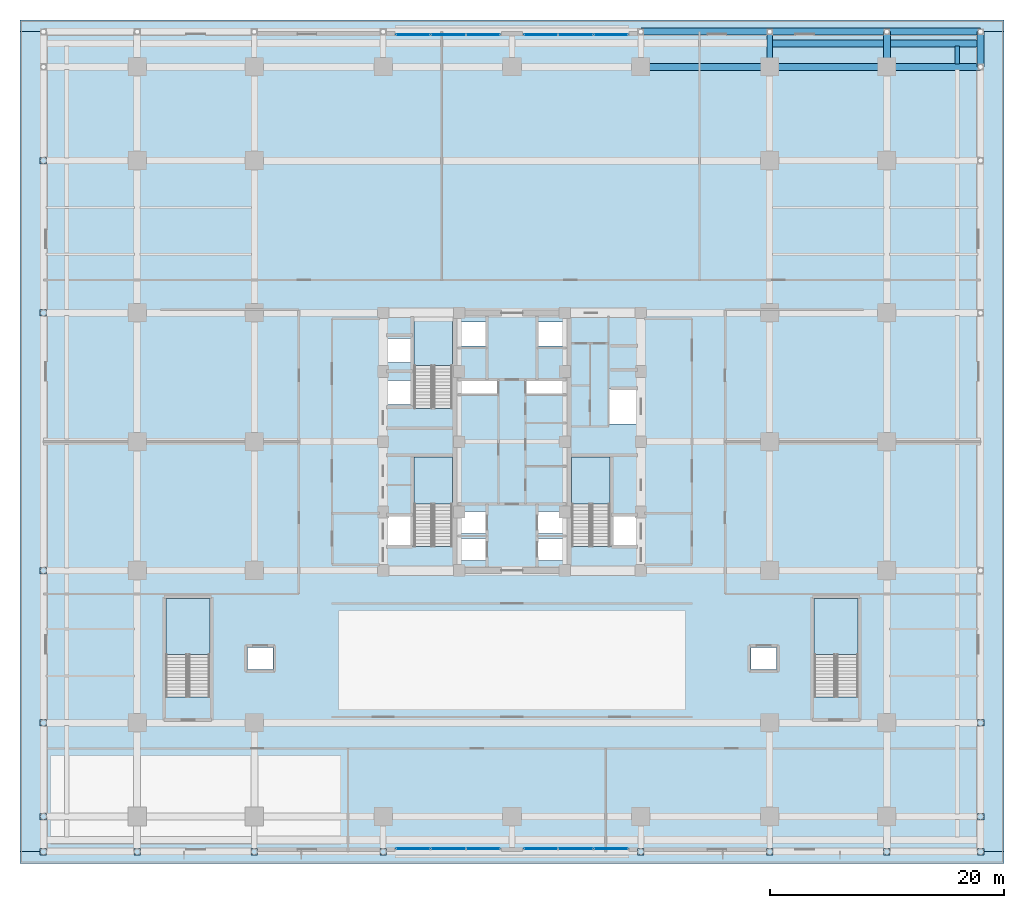
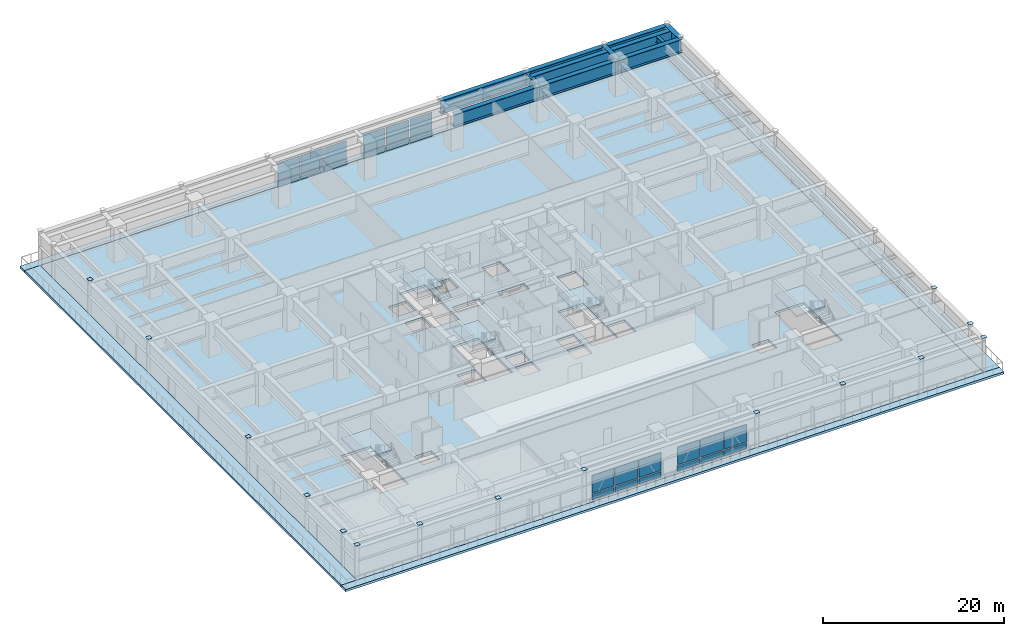
# One storey, part 23 of 38: 39 plates, 12 beams, 10 slabs, 9 elements without a shape of their own.
"""IFC4 building model written with IfcOpenShell, lengths in metres."""

from ifc_helpers import new_model, si_unit, direction, frame, origin, origin_2d, place, context, subcontext, project, spatial, polyline, rectangle, i_section, outline, extrude, source, transform, mapped, material, layer, layer_set, material_profile, profile_set, type_object, element, aggregate, save


model = new_model("IFC4")

# Units and contexts
model_context = context("Model", 3, precision=1e-05, world=origin(), true_north=direction((0.0, 1.0)))
body_context = subcontext(model_context, "Body", "Model", "MODEL_VIEW")
ifc_project = project(units=[si_unit("LENGTHUNIT", "METRE"), si_unit("AREAUNIT", "SQUARE_METRE"), si_unit("VOLUMEUNIT", "CUBIC_METRE"), si_unit("PLANEANGLEUNIT", "RADIAN"), si_unit("MASSUNIT", "GRAM", prefix="KILO")], contexts=[model_context])

# Site, building, storey
site_placement = place(None, origin())
site = spatial("IfcSite", under=ifc_project, at=site_placement, CompositionType="ELEMENT")
building_placement = place(site_placement, origin())
building = spatial("IfcBuilding", under=site, at=building_placement, Name="Khorayat Bourse Tower", CompositionType="ELEMENT")
storey_placement = place(building_placement, frame((0.0, 0.0, 17.39990234375)))
storey = spatial("IfcBuildingStorey", under=building, at=storey_placement, Name="L03", CompositionType="ELEMENT", Elevation=17.39990234375)

# Beams
ifc_material_1 = material(Name="Steel EN 10025-4 S460M", Category="steel")
ifc_material_profile_1 = material_profile(ifc_material_1, i_section(OverallWidth=0.60009765625, OverallDepth=1.800048828125, WebThickness=0.031982421875, FlangeThickness=0.06005859375, at=origin_2d()), Name="PG 1800x600x32x60")
ifc_profile_set_1 = profile_set([ifc_material_profile_1], Name="Steel EN 10025-4 S460M")
beam_type_1 = type_object("IfcBeamType", Name="BM-TR-1800", PredefinedType="BEAM", material=ifc_profile_set_1)
shared_shape_1 = source(origin(), body_context, "Body", "SweptSolid", [
    extrude(i_section(OverallWidth=0.60009765625, OverallDepth=1.800048828125, WebThickness=0.031982421875, FlangeThickness=0.06005859375, at=origin_2d()), origin(), (0.0, 0.0, 1.0), 10.0),
])
for number, where, z_axis, x_axis, name in (
    (1, (22.0, 32.0, 3.580078125), (1.0, 0.0, 0.0), (0.0, 1.0, 0.0), "L03 BM-TR-1800 BM-L03-PGX-084"),
    (2, (22.0, 34.0, 3.580078125), (1.0, 0.0, 0.0), (0.0, 1.0, 0.0), "L03 BM-TR-1800 BM-L03-PGX-089"),
    (3, (22.0, 35.0, 3.580078125), (1.0, 0.0, 0.0), (0.0, 1.0, 0.0), "L03 BM-TR-1800 BM-L03-PGX-096"),
):
    element("IfcBeam", number, at=place(storey_placement, frame(where, z_axis=z_axis, x_axis=x_axis)), inside=storey, type_object=beam_type_1, Name=name, PredefinedType="BEAM", context=body_context, shape_type="MappedRepresentation", body=[
        mapped(shared_shape_1, transform((0.0, 0.0, 0.0), scale=1.0)),
    ])
shared_shape_2 = source(origin(), body_context, "Body", "SweptSolid", [
    extrude(i_section(OverallWidth=0.60009765625, OverallDepth=1.800048828125, WebThickness=0.031982421875, FlangeThickness=0.06005859375, at=origin_2d()), origin(), (0.0, 0.0, 1.0), 11.0),
])
for number, where, z_axis, x_axis, name in (
    (4, (11.0, 32.0, 3.580078125), (1.0, 0.0, 0.0), (0.0, 1.0, 0.0), "L03 BM-TR-1800 BM-L03-PGX-083"),
    (5, (11.0, 35.0, 3.580078125), (1.0, 0.0, 0.0), (0.0, 1.0, 0.0), "L03 BM-TR-1800 BM-L03-PGX-095"),
):
    element("IfcBeam", number, at=place(storey_placement, frame(where, z_axis=z_axis, x_axis=x_axis)), inside=storey, type_object=beam_type_1, Name=name, PredefinedType="BEAM", context=body_context, shape_type="MappedRepresentation", body=[
        mapped(shared_shape_2, transform((0.0, 0.0, 0.0), scale=1.0)),
    ])
shared_shape_3 = source(origin(), body_context, "Body", "SweptSolid", [
    extrude(i_section(OverallWidth=0.60009765625, OverallDepth=1.800048828125, WebThickness=0.031982421875, FlangeThickness=0.06005859375, at=origin_2d()), origin(), (0.0, 0.0, 1.0), 8.0),
])
for number, where, z_axis, x_axis, name in (
    (6, (32.0, 32.0, 3.580078125), (1.0, 0.0, 0.0), (0.0, 1.0, 0.0), "L03 BM-TR-1800 BM-L03-PGX-085"),
    (7, (32.0, 34.0, 3.580078125), (1.0, 0.0, 0.0), (0.0, 1.0, 0.0), "L03 BM-TR-1800 BM-L03-PGX-090"),
    (8, (32.0, 35.0, 3.580078125), (1.0, 0.0, 0.0), (0.0, 1.0, 0.0), "L03 BM-TR-1800 BM-L03-PGX-097"),
):
    element("IfcBeam", number, at=place(storey_placement, frame(where, z_axis=z_axis, x_axis=x_axis)), inside=storey, type_object=beam_type_1, Name=name, PredefinedType="BEAM", context=body_context, shape_type="MappedRepresentation", body=[
        mapped(shared_shape_3, transform((0.0, 0.0, 0.0), scale=1.0)),
    ])
shared_shape_4 = source(origin(), body_context, "Body", "SweptSolid", [
    extrude(i_section(OverallWidth=0.60009765625, OverallDepth=1.800048828125, WebThickness=0.031982421875, FlangeThickness=0.06005859375, at=origin_2d()), origin(), (0.0, 0.0, 1.0), 3.0),
])
for number, where, z_axis, x_axis, name in (
    (9, (32.0, 32.0, 3.580078125), (0.0, 1.0, 0.0), (-1.0, 0.0, 0.0), "L03 BM-TR-1800 BM-L03-PGY-151"),
    (10, (40.0, 32.0, 3.580078125), (0.0, 1.0, 0.0), (-1.0, 0.0, 0.0), "L03 BM-TR-1800 BM-L03-PGY-166"),
):
    element("IfcBeam", number, at=place(storey_placement, frame(where, z_axis=z_axis, x_axis=x_axis)), inside=storey, type_object=beam_type_1, Name=name, PredefinedType="BEAM", context=body_context, shape_type="MappedRepresentation", body=[
        mapped(shared_shape_4, transform((0.0, 0.0, 0.0), scale=1.0)),
    ])
ifc_material_2 = material(Name="Steel ASTM A992 Grade 50", Category="steel")
ifc_material_profile_2 = material_profile(ifc_material_2, i_section(OverallWidth=0.39990234375, OverallDepth=0.85498046875, WebThickness=0.018310546875, FlangeThickness=0.029296875, FilletRadius=0.02001953125, at=origin_2d()), Name="W840X299")
ifc_profile_set_2 = profile_set([ifc_material_profile_2], Name="Steel ASTM A992 Grade 50")
beam_type_2 = type_object("IfcBeamType", Name="BM-GIRD-840", PredefinedType="BEAM", material=ifc_profile_set_2)
shared_shape_5 = source(origin(), body_context, "Body", "SweptSolid", [
    extrude(i_section(OverallWidth=0.39990234375, OverallDepth=0.85498046875, WebThickness=0.018310546875, FlangeThickness=0.029296875, FilletRadius=0.02001953125, at=origin_2d()), origin(), (0.0, 0.0, 1.0), 1.52001953125),
])
beam_1_placement = place(storey_placement, frame((38.0, 32.239990234375, 4.052490234375), z_axis=(0.0, 1.0, 0.0), x_axis=(-1.0, 0.0, 0.0)))
element("IfcBeam", 11, at=beam_1_placement, inside=storey, type_object=beam_type_2, Name="L03 BM-GIRD-840 BM-L03-PGY-159", PredefinedType="BEAM", context=body_context, shape_type="MappedRepresentation", body=[
    mapped(shared_shape_5, transform((0.0, 0.0, 0.0), scale=1.0)),
])
ifc_material_profile_3 = material_profile(ifc_material_1, i_section(OverallWidth=0.5, OverallDepth=1.39990234375, WebThickness=0.02490234375, FlangeThickness=0.050048828125, at=origin_2d()), Name="PG 1400x500x25x50")
ifc_profile_set_3 = profile_set([ifc_material_profile_3], Name="Steel EN 10025-4 S460M")
beam_type_3 = type_object("IfcBeamType", Name="BM-TR-1400", PredefinedType="BEAM", material=ifc_profile_set_3)
shared_shape_6 = source(origin(), body_context, "Body", "SweptSolid", [
    extrude(i_section(OverallWidth=0.5, OverallDepth=1.39990234375, WebThickness=0.02490234375, FlangeThickness=0.050048828125, at=origin_2d()), origin(), (0.0, 0.0, 1.0), 3.0),
])
beam_2_placement = place(storey_placement, frame((22.0, 32.0, 3.780029296875), z_axis=(0.0, 1.0, 0.0), x_axis=(-1.0, 0.0, 0.0)))
element("IfcBeam", 12, at=beam_2_placement, inside=storey, type_object=beam_type_3, Name="L03 BM-TR-1400 BM-L03-PGY-143", PredefinedType="BEAM", context=body_context, shape_type="MappedRepresentation", body=[
    mapped(shared_shape_6, transform((0.0, 0.0, 0.0), scale=1.0)),
])

# Stair, slab
ifc_material_3 = material(Name="Concrete C40/50", Category="concrete")
stair_type_1 = type_object("IfcStairType", Name="STR-CORE-1550", PredefinedType="HALF_TURN_STAIR", material=ifc_material_3)
stair_1_placement = place(storey_placement, origin())
stair_1 = element("IfcStair", 13, at=stair_1_placement, inside=storey, type_object=stair_type_1, Name="L03 Exit Stair ST-1", PredefinedType="HALF_TURN_STAIR")
ifc_layer_1 = layer(ifc_material_3, 0.199951171875)
ifc_layer_set_1 = layer_set([ifc_layer_1], Name="Concrete C40/50")
slab_type_1 = type_object("IfcSlabType", Name="SLB-LANDING-200", PredefinedType="LANDING", material=ifc_layer_set_1)
slab_1_placement = place(storey_placement, frame((0.0, 0.0, 2.2001953125)))
slab_1 = element("IfcSlab", 14, at=slab_1_placement, type_object=slab_type_1, Name="ST-1 landing 1", PredefinedType="LANDING", context=body_context, shape_type="SweptSolid", body=[
    extrude(outline(polyline([(-5.10009765625, -5.31005859375), (-5.10009765625, -1.300048828125), (-8.35009765625, -1.300048828125), (-8.35009765625, -5.31005859375), (-5.10009765625, -5.31005859375)])), origin(), (0.0, 0.0, 1.0), 0.199951171875),
])
aggregate(stair_1, [slab_1])

stair_2_placement = place(storey_placement, origin())
stair_2 = element("IfcStair", 15, at=stair_2_placement, inside=storey, type_object=stair_type_1, Name="L03 Exit Stair ST-2", PredefinedType="HALF_TURN_STAIR")
slab_2_placement = place(storey_placement, frame((0.0, 0.0, 2.2001953125)))
slab_2 = element("IfcSlab", 16, at=slab_2_placement, type_object=slab_type_1, Name="ST-2 landing 1", PredefinedType="LANDING", context=body_context, shape_type="SweptSolid", body=[
    extrude(outline(polyline([(-5.10009765625, 6.489990234375), (-5.10009765625, 10.5), (-8.35009765625, 10.5), (-8.35009765625, 6.489990234375), (-5.10009765625, 6.489990234375)])), origin(), (0.0, 0.0, 1.0), 0.199951171875),
])
aggregate(stair_2, [slab_2])

stair_3_placement = place(storey_placement, origin())
stair_3 = element("IfcStair", 17, at=stair_3_placement, inside=storey, type_object=stair_type_1, Name="L03 Exit Stair ST-3", PredefinedType="HALF_TURN_STAIR")
slab_3_placement = place(storey_placement, frame((0.0, 0.0, 2.2001953125)))
slab_3 = element("IfcSlab", 18, at=slab_3_placement, type_object=slab_type_1, Name="ST-3 landing 1", PredefinedType="LANDING", context=body_context, shape_type="SweptSolid", body=[
    extrude(outline(polyline([(8.35009765625, -5.31005859375), (8.35009765625, -1.300048828125), (5.10009765625, -1.300048828125), (5.10009765625, -5.31005859375), (8.35009765625, -5.31005859375)])), origin(), (0.0, 0.0, 1.0), 0.199951171875),
])
aggregate(stair_3, [slab_3])

stair_type_2 = type_object("IfcStairType", Name="STR-POD-1800", PredefinedType="HALF_TURN_STAIR", material=ifc_material_3)
stair_4_placement = place(storey_placement, origin())
stair_4 = element("IfcStair", 19, at=stair_4_placement, inside=storey, type_object=stair_type_2, Name="L03 Exit Stair ST-P1", PredefinedType="HALF_TURN_STAIR")
slab_4_placement = place(storey_placement, frame((0.0, 0.0, 2.2001953125)))
slab_4 = element("IfcSlab", 20, at=slab_4_placement, type_object=slab_type_1, Name="ST-P1 landing 1", PredefinedType="LANDING", context=body_context, shape_type="SweptSolid", body=[
    extrude(outline(polyline([(-25.800048828125, -18.159912109375), (-25.800048828125, -13.39990234375), (-29.550048828125, -13.39990234375), (-29.550048828125, -18.159912109375), (-25.800048828125, -18.159912109375)])), origin(), (0.0, 0.0, 1.0), 0.199951171875),
])
aggregate(stair_4, [slab_4])

stair_5_placement = place(storey_placement, origin())
stair_5 = element("IfcStair", 21, at=stair_5_placement, inside=storey, type_object=stair_type_2, Name="L03 Exit Stair ST-P2", PredefinedType="HALF_TURN_STAIR")
slab_5_placement = place(storey_placement, frame((0.0, 0.0, 2.2001953125)))
slab_5 = element("IfcSlab", 22, at=slab_5_placement, type_object=slab_type_1, Name="ST-P2 landing 1", PredefinedType="LANDING", context=body_context, shape_type="SweptSolid", body=[
    extrude(outline(polyline([(29.550048828125, -18.159912109375), (29.550048828125, -13.39990234375), (25.800048828125, -13.39990234375), (25.800048828125, -18.159912109375), (29.550048828125, -18.159912109375)])), origin(), (0.0, 0.0, 1.0), 0.199951171875),
])
aggregate(stair_5, [slab_5])

# Slabs
ifc_layer_2 = layer(ifc_material_3, 0.320068359375)
ifc_layer_set_2 = layer_set([ifc_layer_2], Name="Concrete C40/50")
slab_type_2 = type_object("IfcSlabType", Name="SLB-POD-320", PredefinedType="FLOOR", material=ifc_layer_set_2)
slab_6_placement = place(storey_placement, frame((0.0, 0.0, -0.31982421875)))
element("IfcSlab", 23, at=slab_6_placement, inside=storey, type_object=slab_type_2, Name="L03 Main Floor Slab", PredefinedType="FLOOR", context=body_context, shape_type="SweptSolid", body=[
    extrude(outline(polyline([(-40.0, -35.0), (40.0, -35.0), (40.0, 35.0), (-40.0, 35.0), (-40.0, -35.0)]), holes=[polyline([(-8.35009765625, -8.945068359375), (-5.10009765625, -8.945068359375), (-5.10009765625, -1.300048828125), (-8.35009765625, -1.300048828125), (-8.35009765625, -8.945068359375)]), polyline([(-8.35009765625, 2.85498046875), (-5.10009765625, 2.85498046875), (-5.10009765625, 10.5), (-8.35009765625, 10.5), (-8.35009765625, 2.85498046875)]), polyline([(5.10009765625, -8.945068359375), (8.35009765625, -8.945068359375), (8.35009765625, -1.300048828125), (5.10009765625, -1.300048828125), (5.10009765625, -8.945068359375)]), polyline([(-29.550048828125, -21.794921875), (-25.800048828125, -21.794921875), (-25.800048828125, -13.39990234375), (-29.550048828125, -13.39990234375), (-29.550048828125, -21.794921875)]), polyline([(25.800048828125, -21.794921875), (29.550048828125, -21.794921875), (29.550048828125, -13.39990234375), (25.800048828125, -13.39990234375), (25.800048828125, -21.794921875)]), polyline([(-4.3798828125, -10.1298828125), (-2.219970703125, -10.1298828125), (-2.219970703125, -8.27001953125), (-4.3798828125, -8.27001953125), (-4.3798828125, -10.1298828125)]), polyline([(2.219970703125, -10.1298828125), (4.3798828125, -10.1298828125), (4.3798828125, -8.27001953125), (2.219970703125, -8.27001953125), (2.219970703125, -10.1298828125)]), polyline([(-4.3798828125, -7.830078125), (-2.219970703125, -7.830078125), (-2.219970703125, -5.969970703125), (-4.3798828125, -5.969970703125), (-4.3798828125, -7.830078125)]), polyline([(2.219970703125, -7.830078125), (4.3798828125, -7.830078125), (4.3798828125, -5.969970703125), (2.219970703125, -5.969970703125), (2.219970703125, -7.830078125)]), polyline([(-4.3798828125, 8.169921875), (-2.1201171875, 8.169921875), (-2.1201171875, 10.22998046875), (-4.3798828125, 10.22998046875), (-4.3798828125, 8.169921875)]), polyline([(2.1201171875, 8.169921875), (4.3798828125, 8.169921875), (4.3798828125, 10.22998046875), (2.1201171875, 10.22998046875), (2.1201171875, 8.169921875)]), polyline([(-10.679931640625, 3.169921875), (-8.419921875, 3.169921875), (-8.419921875, 5.22998046875), (-10.679931640625, 5.22998046875), (-10.679931640625, 3.169921875)]), polyline([(-10.679931640625, 6.77001953125), (-8.419921875, 6.77001953125), (-8.419921875, 8.830078125), (-10.679931640625, 8.830078125), (-10.679931640625, 6.77001953125)]), polyline([(-22.580078125, -19.429931640625), (-20.419921875, -19.429931640625), (-20.419921875, -17.570068359375), (-22.580078125, -17.570068359375), (-22.580078125, -19.429931640625)]), polyline([(20.419921875, -19.429931640625), (22.580078125, -19.429931640625), (22.580078125, -17.570068359375), (20.419921875, -17.570068359375), (20.419921875, -19.429931640625)]), polyline([(-10.679931640625, -8.929931640625), (-8.419921875, -8.929931640625), (-8.419921875, -6.3701171875), (-10.679931640625, -6.3701171875), (-10.679931640625, -8.929931640625)]), polyline([(8.419921875, -8.929931640625), (10.679931640625, -8.929931640625), (10.679931640625, -6.3701171875), (8.419921875, -6.3701171875), (8.419921875, -8.929931640625)]), polyline([(8.320068359375, 1.52001953125), (10.679931640625, 1.52001953125), (10.679931640625, 4.47998046875), (8.320068359375, 4.47998046875), (8.320068359375, 1.52001953125)]), polyline([(-4.56005859375, 4.080078125), (-1.18994140625, 4.080078125), (-1.18994140625, 5.219970703125), (-4.56005859375, 5.219970703125), (-4.56005859375, 4.080078125)]), polyline([(1.18994140625, 4.080078125), (4.56005859375, 4.080078125), (4.56005859375, 5.219970703125), (1.18994140625, 5.219970703125), (1.18994140625, 4.080078125)])]), origin(), (0.0, 0.0, 1.0), 0.31982421875),
])
ifc_layer_3 = layer(ifc_material_3, 0.300048828125)
ifc_layer_set_3 = layer_set([ifc_layer_3], Name="Concrete C40/50")
slab_type_3 = type_object("IfcSlabType", Name="SLB-TERR-300", PredefinedType="FLOOR", material=ifc_layer_set_3)
slab_7_placement = place(storey_placement, frame((0.0, 0.0, -0.2998046875)))
element("IfcSlab", 24, at=slab_7_placement, inside=storey, type_object=slab_type_3, Name="L03 Planted Garden Terrace Slab 01", PredefinedType="FLOOR", context=body_context, shape_type="SweptSolid", body=[
    extrude(outline(polyline([(-42.0, 35.0), (42.0, 35.0), (42.0, 36.0), (-42.0, 36.0), (-42.0, 35.0)])), origin(), (0.0, 0.0, 1.0), 0.2998046875),
])
slab_8_placement = place(storey_placement, frame((0.0, 0.0, -0.2998046875)))
element("IfcSlab", 25, at=slab_8_placement, inside=storey, type_object=slab_type_3, Name="L03 Planted Garden Terrace Slab 02", PredefinedType="FLOOR", context=body_context, shape_type="SweptSolid", body=[
    extrude(outline(polyline([(-42.0, -36.0), (42.0, -36.0), (42.0, -35.0), (-42.0, -35.0), (-42.0, -36.0)])), origin(), (0.0, 0.0, 1.0), 0.2998046875),
])
slab_9_placement = place(storey_placement, frame((0.0, 0.0, -0.2998046875)))
element("IfcSlab", 26, at=slab_9_placement, inside=storey, type_object=slab_type_3, Name="L03 Planted Garden Terrace Slab 03", PredefinedType="FLOOR", context=body_context, shape_type="SweptSolid", body=[
    extrude(outline(polyline([(-42.0, -35.0), (-40.0, -35.0), (-40.0, 35.0), (-42.0, 35.0), (-42.0, -35.0)])), origin(), (0.0, 0.0, 1.0), 0.2998046875),
])
slab_10_placement = place(storey_placement, frame((0.0, 0.0, -0.2998046875)))
element("IfcSlab", 27, at=slab_10_placement, inside=storey, type_object=slab_type_3, Name="L03 Planted Garden Terrace Slab 04", PredefinedType="FLOOR", context=body_context, shape_type="SweptSolid", body=[
    extrude(outline(polyline([(40.0, -35.0), (42.0, -35.0), (42.0, 35.0), (40.0, 35.0), (40.0, -35.0)])), origin(), (0.0, 0.0, 1.0), 0.2998046875),
])

# Plates
ifc_material_4 = material(Name="Steel EN 10025-2 S355J2", Category="steel")
ifc_layer_4 = layer(ifc_material_4, 0.02490234375)
ifc_layer_set_4 = layer_set([ifc_layer_4], Name="Steel EN 10025-2 S355J2")
plate_type_1 = type_object("IfcPlateType", Name="PLT-ENDCAP-25", PredefinedType="SHEET", material=ifc_layer_set_4)
shared_shape_7 = source(origin(), body_context, "Body", "SweptSolid", [
    extrude(rectangle(XDim=0.56005859375, YDim=0.56005859375, at=origin_2d()), origin(), (0.0, 0.0, 1.0), 0.02490234375),
])
for number, where, z_axis, x_axis, name in (
    (28, (-40.0, -35.0, 4.800048828125), (0.0, 0.0, 1.0), (1.0, 0.0, 0.0), "L03 Column Top Endcap Plate 001"),
    (29, (-40.0, -24.0, 4.800048828125), (0.0, 0.0, 1.0), (1.0, 0.0, 0.0), "L03 Column Top Endcap Plate 002"),
    (30, (-40.0, -11.0, 4.800048828125), (0.0, 0.0, 1.0), (1.0, 0.0, 0.0), "L03 Column Top Endcap Plate 003"),
    (31, (-40.0, 11.0, 4.800048828125), (0.0, 0.0, 1.0), (1.0, 0.0, 0.0), "L03 Column Top Endcap Plate 004"),
    (32, (-40.0, 24.0, 4.800048828125), (0.0, 0.0, 1.0), (1.0, 0.0, 0.0), "L03 Column Top Endcap Plate 005"),
    (33, (-32.0, -35.0, 4.800048828125), (0.0, 0.0, 1.0), (1.0, 0.0, 0.0), "L03 Column Top Endcap Plate 007"),
    (34, (-22.0, -35.0, 4.800048828125), (0.0, 0.0, 1.0), (1.0, 0.0, 0.0), "L03 Column Top Endcap Plate 016"),
    (35, (-11.0, -35.0, 4.800048828125), (0.0, 0.0, 1.0), (1.0, 0.0, 0.0), "L03 Column Top Endcap Plate 025"),
    (36, (11.0, -35.0, 4.800048828125), (0.0, 0.0, 1.0), (1.0, 0.0, 0.0), "L03 Column Top Endcap Plate 046"),
    (37, (22.0, -35.0, 4.800048828125), (0.0, 0.0, 1.0), (1.0, 0.0, 0.0), "L03 Column Top Endcap Plate 055"),
    (38, (32.0, -35.0, 4.800048828125), (0.0, 0.0, 1.0), (1.0, 0.0, 0.0), "L03 Column Top Endcap Plate 064"),
    (39, (40.0, -35.0, 4.800048828125), (0.0, 0.0, 1.0), (1.0, 0.0, 0.0), "L03 Column Top Endcap Plate 073"),
    (40, (40.0, -24.0, 4.800048828125), (0.0, 0.0, 1.0), (1.0, 0.0, 0.0), "L03 Column Top Endcap Plate 074"),
    (41, (-40.0, -32.0, 4.800048828125), (0.0, 0.0, 1.0), (1.0, 0.0, 0.0), "L03 Perimeter Step Column Endcap 1"),
    (42, (40.0, -32.0, 4.800048828125), (0.0, 0.0, 1.0), (1.0, 0.0, 0.0), "L03 Perimeter Step Column Endcap 3"),
):
    element("IfcPlate", number, at=place(storey_placement, frame(where, z_axis=z_axis, x_axis=x_axis)), inside=storey, type_object=plate_type_1, Name=name, PredefinedType="SHEET", context=body_context, shape_type="MappedRepresentation", body=[
        mapped(shared_shape_7, transform((0.0, 0.0, 0.0), scale=1.0)),
    ])

# Curtain wall, plates
ifc_material_5 = material(Name="Aluminium EN AW-6063 T6", Category="aluminium")
curtain_wall_type = type_object("IfcCurtainWallType", Name="CW-SYS-01", PredefinedType="NOTDEFINED", material=ifc_material_5)
curtain_wall_1_placement = place(storey_placement, origin())
curtain_wall_1 = element("IfcCurtainWall", 43, at=curtain_wall_1_placement, inside=storey, type_object=curtain_wall_type, Name="L03 Curtain Wall CW-L03-SW", PredefinedType="NOTDEFINED")
ifc_material_6 = material(Name="Honed desert limestone insulated spandrel", Category="masonry")
ifc_layer_5 = layer(ifc_material_6, 0.06494140625)
ifc_layer_set_5 = layer_set([ifc_layer_5], Name="Honed desert limestone insulated spandrel")
plate_type_2 = type_object("IfcPlateType", Name="CWP-SPAND-03", PredefinedType="CURTAIN_PANEL", material=ifc_layer_set_5)
shared_shape_8 = source(origin(), body_context, "Body", "SweptSolid", [
    extrude(rectangle(XDim=2.8232421875, YDim=0.06494140625, at=origin_2d()), origin(), (0.0, 0.0, 1.0), 0.739990234375),
])
plate_1_placement = place(storey_placement, frame((-8.4482421875, -34.742919921875, 0.14013671875), z_axis=(0.0, 0.0, 1.0), x_axis=(1.0, 0.0, 0.0)))
plate_1 = element("IfcPlate", 44, at=plate_1_placement, type_object=plate_type_2, Name="CW-L03-SW Spandrel Panel 1-1", PredefinedType="CURTAIN_PANEL", context=body_context, shape_type="MappedRepresentation", body=[
    mapped(shared_shape_8, transform((0.0, 0.0, 0.0), scale=1.0)),
])
plate_2_placement = place(storey_placement, frame((-2.45166015625, -34.742919921875, 0.14013671875), z_axis=(0.0, 0.0, 1.0), x_axis=(1.0, 0.0, 0.0)))
plate_2 = element("IfcPlate", 45, at=plate_2_placement, type_object=plate_type_2, Name="CW-L03-SW Spandrel Panel 3-1", PredefinedType="CURTAIN_PANEL", context=body_context, shape_type="MappedRepresentation", body=[
    mapped(shared_shape_8, transform((0.0, 0.0, 0.0), scale=1.0)),
])

curtain_wall_2_placement = place(storey_placement, origin())
curtain_wall_2 = element("IfcCurtainWall", 46, at=curtain_wall_2_placement, inside=storey, type_object=curtain_wall_type, Name="L03 Curtain Wall CW-L03-SE", PredefinedType="NOTDEFINED")
plate_3_placement = place(storey_placement, frame((2.45166015625, -34.742919921875, 0.14013671875), z_axis=(0.0, 0.0, 1.0), x_axis=(1.0, 0.0, 0.0)))
plate_3 = element("IfcPlate", 47, at=plate_3_placement, type_object=plate_type_2, Name="CW-L03-SE Spandrel Panel 1-1", PredefinedType="CURTAIN_PANEL", context=body_context, shape_type="MappedRepresentation", body=[
    mapped(shared_shape_8, transform((0.0, 0.0, 0.0), scale=1.0)),
])
plate_4_placement = place(storey_placement, frame((8.4482421875, -34.742919921875, 0.14013671875), z_axis=(0.0, 0.0, 1.0), x_axis=(1.0, 0.0, 0.0)))
plate_4 = element("IfcPlate", 48, at=plate_4_placement, type_object=plate_type_2, Name="CW-L03-SE Spandrel Panel 3-1", PredefinedType="CURTAIN_PANEL", context=body_context, shape_type="MappedRepresentation", body=[
    mapped(shared_shape_8, transform((0.0, 0.0, 0.0), scale=1.0)),
])

curtain_wall_3_placement = place(storey_placement, origin())
curtain_wall_3 = element("IfcCurtainWall", 49, at=curtain_wall_3_placement, inside=storey, type_object=curtain_wall_type, Name="L03 Curtain Wall CW-L03-NW", PredefinedType="NOTDEFINED")
plate_5_placement = place(storey_placement, frame((-2.45166015625, 34.742919921875, 0.14013671875), z_axis=(0.0, 0.0, 1.0), x_axis=(-1.0, 0.0, 0.0)))
plate_5 = element("IfcPlate", 50, at=plate_5_placement, type_object=plate_type_2, Name="CW-L03-NW Spandrel Panel 1-1", PredefinedType="CURTAIN_PANEL", context=body_context, shape_type="MappedRepresentation", body=[
    mapped(shared_shape_8, transform((0.0, 0.0, 0.0), scale=1.0)),
])
plate_6_placement = place(storey_placement, frame((-8.4482421875, 34.742919921875, 0.14013671875), z_axis=(0.0, 0.0, 1.0), x_axis=(-1.0, 0.0, 0.0)))
plate_6 = element("IfcPlate", 51, at=plate_6_placement, type_object=plate_type_2, Name="CW-L03-NW Spandrel Panel 3-1", PredefinedType="CURTAIN_PANEL", context=body_context, shape_type="MappedRepresentation", body=[
    mapped(shared_shape_8, transform((0.0, 0.0, 0.0), scale=1.0)),
])

curtain_wall_4_placement = place(storey_placement, origin())
curtain_wall_4 = element("IfcCurtainWall", 52, at=curtain_wall_4_placement, inside=storey, type_object=curtain_wall_type, Name="L03 Curtain Wall CW-L03-NE", PredefinedType="NOTDEFINED")
plate_7_placement = place(storey_placement, frame((8.4482421875, 34.742919921875, 0.14013671875), z_axis=(0.0, 0.0, 1.0), x_axis=(-1.0, 0.0, 0.0)))
plate_7 = element("IfcPlate", 53, at=plate_7_placement, type_object=plate_type_2, Name="CW-L03-NE Spandrel Panel 1-1", PredefinedType="CURTAIN_PANEL", context=body_context, shape_type="MappedRepresentation", body=[
    mapped(shared_shape_8, transform((0.0, 0.0, 0.0), scale=1.0)),
])
plate_8_placement = place(storey_placement, frame((2.45166015625, 34.742919921875, 0.14013671875), z_axis=(0.0, 0.0, 1.0), x_axis=(-1.0, 0.0, 0.0)))
plate_8 = element("IfcPlate", 54, at=plate_8_placement, type_object=plate_type_2, Name="CW-L03-NE Spandrel Panel 3-1", PredefinedType="CURTAIN_PANEL", context=body_context, shape_type="MappedRepresentation", body=[
    mapped(shared_shape_8, transform((0.0, 0.0, 0.0), scale=1.0)),
])

# Plate
shared_shape_9 = source(origin(), body_context, "Body", "SweptSolid", [
    extrude(rectangle(XDim=2.893310546875, YDim=0.06494140625, at=origin_2d()), origin(), (0.0, 0.0, 1.0), 0.739990234375),
])
plate_9_placement = place(storey_placement, frame((-5.449951171875, -34.742919921875, 0.14013671875), z_axis=(0.0, 0.0, 1.0), x_axis=(1.0, 0.0, 0.0)))
plate_9 = element("IfcPlate", 55, at=plate_9_placement, type_object=plate_type_2, Name="CW-L03-SW Spandrel Panel 2-1", PredefinedType="CURTAIN_PANEL", context=body_context, shape_type="MappedRepresentation", body=[
    mapped(shared_shape_9, transform((0.0, 0.0, 0.0), scale=1.0)),
])

plate_10_placement = place(storey_placement, frame((5.449951171875, -34.742919921875, 0.14013671875), z_axis=(0.0, 0.0, 1.0), x_axis=(1.0, 0.0, 0.0)))
plate_10 = element("IfcPlate", 56, at=plate_10_placement, type_object=plate_type_2, Name="CW-L03-SE Spandrel Panel 2-1", PredefinedType="CURTAIN_PANEL", context=body_context, shape_type="MappedRepresentation", body=[
    mapped(shared_shape_9, transform((0.0, 0.0, 0.0), scale=1.0)),
])

plate_11_placement = place(storey_placement, frame((-5.449951171875, 34.742919921875, 0.14013671875), z_axis=(0.0, 0.0, 1.0), x_axis=(-1.0, 0.0, 0.0)))
plate_11 = element("IfcPlate", 57, at=plate_11_placement, type_object=plate_type_2, Name="CW-L03-NW Spandrel Panel 2-1", PredefinedType="CURTAIN_PANEL", context=body_context, shape_type="MappedRepresentation", body=[
    mapped(shared_shape_9, transform((0.0, 0.0, 0.0), scale=1.0)),
])

plate_12_placement = place(storey_placement, frame((5.449951171875, 34.742919921875, 0.14013671875), z_axis=(0.0, 0.0, 1.0), x_axis=(-1.0, 0.0, 0.0)))
plate_12 = element("IfcPlate", 58, at=plate_12_placement, type_object=plate_type_2, Name="CW-L03-NE Spandrel Panel 2-1", PredefinedType="CURTAIN_PANEL", context=body_context, shape_type="MappedRepresentation", body=[
    mapped(shared_shape_9, transform((0.0, 0.0, 0.0), scale=1.0)),
])

ifc_material_7 = material(Name="Low-E solar-control laminated double glazing", Category="glass")
ifc_layer_6 = layer(ifc_material_7, 0.035888671875)
ifc_layer_set_6 = layer_set([ifc_layer_6], Name="Low-E solar-control laminated double glazing")
plate_type_3 = type_object("IfcPlateType", Name="CWP-VIS-01", PredefinedType="CURTAIN_PANEL", material=ifc_layer_set_6)
shared_shape_10 = source(origin(), body_context, "Body", "SweptSolid", [
    extrude(rectangle(XDim=2.8232421875, YDim=0.035888671875, at=origin_2d()), origin(), (0.0, 0.0, 1.0), 2.3701171875),
])
plate_13_placement = place(storey_placement, frame((-8.4482421875, -34.742919921875, 1.02001953125), z_axis=(0.0, 0.0, 1.0), x_axis=(1.0, 0.0, 0.0)))
plate_13 = element("IfcPlate", 59, at=plate_13_placement, type_object=plate_type_3, Name="CW-L03-SW Vision Panel 1-2", PredefinedType="CURTAIN_PANEL", context=body_context, shape_type="MappedRepresentation", body=[
    mapped(shared_shape_10, transform((0.0, 0.0, 0.0), scale=1.0)),
])

plate_14_placement = place(storey_placement, frame((-2.45166015625, -34.742919921875, 1.02001953125), z_axis=(0.0, 0.0, 1.0), x_axis=(1.0, 0.0, 0.0)))
plate_14 = element("IfcPlate", 60, at=plate_14_placement, type_object=plate_type_3, Name="CW-L03-SW Vision Panel 3-2", PredefinedType="CURTAIN_PANEL", context=body_context, shape_type="MappedRepresentation", body=[
    mapped(shared_shape_10, transform((0.0, 0.0, 0.0), scale=1.0)),
])

plate_15_placement = place(storey_placement, frame((2.45166015625, -34.742919921875, 1.02001953125), z_axis=(0.0, 0.0, 1.0), x_axis=(1.0, 0.0, 0.0)))
plate_15 = element("IfcPlate", 61, at=plate_15_placement, type_object=plate_type_3, Name="CW-L03-SE Vision Panel 1-2", PredefinedType="CURTAIN_PANEL", context=body_context, shape_type="MappedRepresentation", body=[
    mapped(shared_shape_10, transform((0.0, 0.0, 0.0), scale=1.0)),
])

plate_16_placement = place(storey_placement, frame((8.4482421875, -34.742919921875, 1.02001953125), z_axis=(0.0, 0.0, 1.0), x_axis=(1.0, 0.0, 0.0)))
plate_16 = element("IfcPlate", 62, at=plate_16_placement, type_object=plate_type_3, Name="CW-L03-SE Vision Panel 3-2", PredefinedType="CURTAIN_PANEL", context=body_context, shape_type="MappedRepresentation", body=[
    mapped(shared_shape_10, transform((0.0, 0.0, 0.0), scale=1.0)),
])

plate_17_placement = place(storey_placement, frame((-2.45166015625, 34.742919921875, 1.02001953125), z_axis=(0.0, 0.0, 1.0), x_axis=(-1.0, 0.0, 0.0)))
plate_17 = element("IfcPlate", 63, at=plate_17_placement, type_object=plate_type_3, Name="CW-L03-NW Vision Panel 1-2", PredefinedType="CURTAIN_PANEL", context=body_context, shape_type="MappedRepresentation", body=[
    mapped(shared_shape_10, transform((0.0, 0.0, 0.0), scale=1.0)),
])

plate_18_placement = place(storey_placement, frame((-8.4482421875, 34.742919921875, 1.02001953125), z_axis=(0.0, 0.0, 1.0), x_axis=(-1.0, 0.0, 0.0)))
plate_18 = element("IfcPlate", 64, at=plate_18_placement, type_object=plate_type_3, Name="CW-L03-NW Vision Panel 3-2", PredefinedType="CURTAIN_PANEL", context=body_context, shape_type="MappedRepresentation", body=[
    mapped(shared_shape_10, transform((0.0, 0.0, 0.0), scale=1.0)),
])

plate_19_placement = place(storey_placement, frame((8.4482421875, 34.742919921875, 1.02001953125), z_axis=(0.0, 0.0, 1.0), x_axis=(-1.0, 0.0, 0.0)))
plate_19 = element("IfcPlate", 65, at=plate_19_placement, type_object=plate_type_3, Name="CW-L03-NE Vision Panel 1-2", PredefinedType="CURTAIN_PANEL", context=body_context, shape_type="MappedRepresentation", body=[
    mapped(shared_shape_10, transform((0.0, 0.0, 0.0), scale=1.0)),
])

plate_20_placement = place(storey_placement, frame((2.45166015625, 34.742919921875, 1.02001953125), z_axis=(0.0, 0.0, 1.0), x_axis=(-1.0, 0.0, 0.0)))
plate_20 = element("IfcPlate", 66, at=plate_20_placement, type_object=plate_type_3, Name="CW-L03-NE Vision Panel 3-2", PredefinedType="CURTAIN_PANEL", context=body_context, shape_type="MappedRepresentation", body=[
    mapped(shared_shape_10, transform((0.0, 0.0, 0.0), scale=1.0)),
])

shared_shape_11 = source(origin(), body_context, "Body", "SweptSolid", [
    extrude(rectangle(XDim=2.893310546875, YDim=0.035888671875, at=origin_2d()), origin(), (0.0, 0.0, 1.0), 2.3701171875),
])
plate_21_placement = place(storey_placement, frame((-5.449951171875, -34.742919921875, 1.02001953125), z_axis=(0.0, 0.0, 1.0), x_axis=(1.0, 0.0, 0.0)))
plate_21 = element("IfcPlate", 67, at=plate_21_placement, type_object=plate_type_3, Name="CW-L03-SW Vision Panel 2-2", PredefinedType="CURTAIN_PANEL", context=body_context, shape_type="MappedRepresentation", body=[
    mapped(shared_shape_11, transform((0.0, 0.0, 0.0), scale=1.0)),
])

aggregate(curtain_wall_1, [plate_1, plate_13, plate_9, plate_21, plate_2, plate_14])

plate_22_placement = place(storey_placement, frame((5.449951171875, -34.742919921875, 1.02001953125), z_axis=(0.0, 0.0, 1.0), x_axis=(1.0, 0.0, 0.0)))
plate_22 = element("IfcPlate", 68, at=plate_22_placement, type_object=plate_type_3, Name="CW-L03-SE Vision Panel 2-2", PredefinedType="CURTAIN_PANEL", context=body_context, shape_type="MappedRepresentation", body=[
    mapped(shared_shape_11, transform((0.0, 0.0, 0.0), scale=1.0)),
])

aggregate(curtain_wall_2, [plate_3, plate_15, plate_10, plate_22, plate_4, plate_16])

plate_23_placement = place(storey_placement, frame((-5.449951171875, 34.742919921875, 1.02001953125), z_axis=(0.0, 0.0, 1.0), x_axis=(-1.0, 0.0, 0.0)))
plate_23 = element("IfcPlate", 69, at=plate_23_placement, type_object=plate_type_3, Name="CW-L03-NW Vision Panel 2-2", PredefinedType="CURTAIN_PANEL", context=body_context, shape_type="MappedRepresentation", body=[
    mapped(shared_shape_11, transform((0.0, 0.0, 0.0), scale=1.0)),
])

aggregate(curtain_wall_3, [plate_5, plate_17, plate_11, plate_23, plate_6, plate_18])

plate_24_placement = place(storey_placement, frame((5.449951171875, 34.742919921875, 1.02001953125), z_axis=(0.0, 0.0, 1.0), x_axis=(-1.0, 0.0, 0.0)))
plate_24 = element("IfcPlate", 70, at=plate_24_placement, type_object=plate_type_3, Name="CW-L03-NE Vision Panel 2-2", PredefinedType="CURTAIN_PANEL", context=body_context, shape_type="MappedRepresentation", body=[
    mapped(shared_shape_11, transform((0.0, 0.0, 0.0), scale=1.0)),
])

aggregate(curtain_wall_4, [plate_7, plate_19, plate_12, plate_24, plate_8, plate_20])

save(model, "model.ifc")
